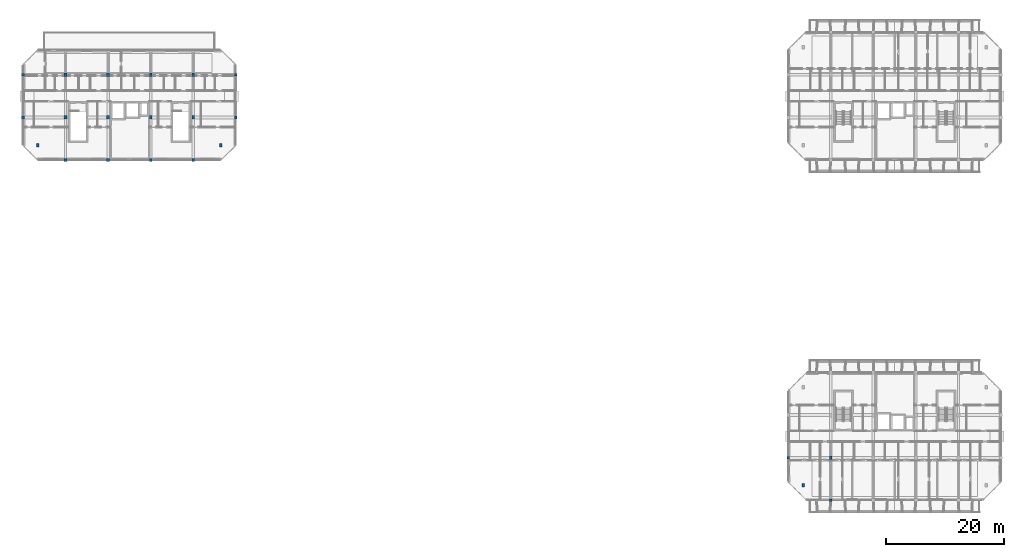
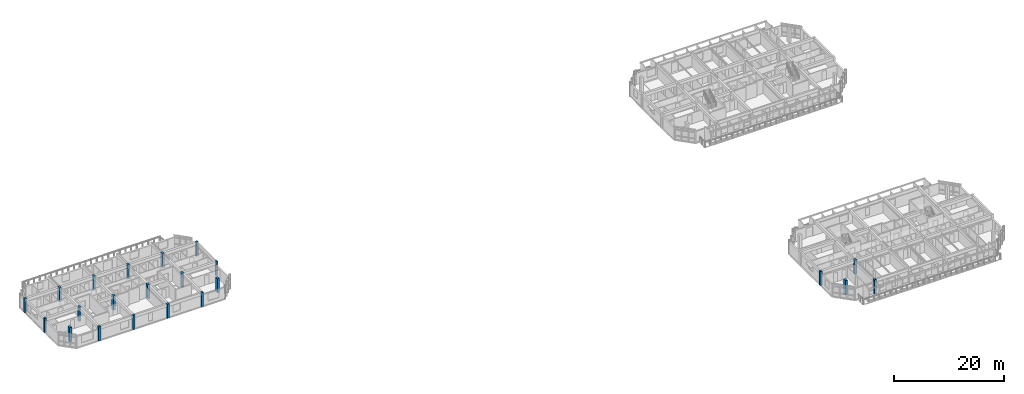
# One storey, part 1 of 30: 22 columns.
"""IFC4 building model written with IfcOpenShell, lengths in metres."""

from ifc_helpers import new_model, si_unit, direction, frame, origin, origin_2d, place, context, subcontext, project, spatial, rectangle, extrude, material, material_profile, profile_set, type_object, element, save


model = new_model("IFC4")

# Units and contexts
model_context = context("Model", 3, precision=1e-05, world=origin(), true_north=direction((0.0, 1.0)))
body_context = subcontext(model_context, "Body", "Model", "MODEL_VIEW")
ifc_project = project(units=[si_unit("LENGTHUNIT", "METRE"), si_unit("AREAUNIT", "SQUARE_METRE"), si_unit("VOLUMEUNIT", "CUBIC_METRE"), si_unit("PLANEANGLEUNIT", "RADIAN"), si_unit("MASSUNIT", "GRAM", prefix="KILO")], contexts=[model_context])

# Site, building, storey
site_placement = place(None, origin())
site = spatial("IfcSite", under=ifc_project, at=site_placement, CompositionType="ELEMENT")
building_placement = place(site_placement, origin())
building = spatial("IfcBuilding", under=site, at=building_placement, Name="Ochrevale Crest", CompositionType="ELEMENT")
storey_placement = place(building_placement, frame((0.0, 0.0, 33.89990234375)))
storey = spatial("IfcBuildingStorey", under=building, at=storey_placement, Name="L10", CompositionType="ELEMENT", Elevation=33.89990234375)

# Columns
ifc_material_1 = material(Name="Precast concrete C40/50", Category="concrete")
ifc_material_profile_1 = material_profile(ifc_material_1, rectangle(XDim=0.449951171875, YDim=0.449951171875, at=origin_2d()), Name="RC 450x450")
ifc_profile_set_1 = profile_set([ifc_material_profile_1], Name="Precast concrete C40/50")
column_type_1 = type_object("IfcColumnType", Name="COL-RC450x450", PredefinedType="COLUMN", material=ifc_profile_set_1)
for number, where, z_axis, x_axis, name in (
    (1, (0.0, 79.199951171875, 0.0), (0.0, 0.0, 1.0), (1.0, 0.0, 0.0), "Block B L10 column (0.0,79.2)"),
    (2, (0.0, 86.39990234375, 0.0), (0.0, 0.0, 1.0), (1.0, 0.0, 0.0), "Block B L10 column (0.0,86.4)"),
    (3, (7.199951171875, 72.0, 0.0), (0.0, 0.0, 1.0), (1.0, 0.0, 0.0), "Block B L10 column (7.2,72.0)"),
    (4, (14.39990234375, 72.0, 0.0), (0.0, 0.0, 1.0), (1.0, 0.0, 0.0), "Block B L10 column (14.4,72.0)"),
    (5, (21.60009765625, 72.0, 0.0), (0.0, 0.0, 1.0), (1.0, 0.0, 0.0), "Block B L10 column (21.6,72.0)"),
    (6, (28.800048828125, 72.0, 0.0), (0.0, 0.0, 1.0), (1.0, 0.0, 0.0), "Block B L10 column (28.8,72.0)"),
    (7, (36.0, 79.199951171875, 0.0), (0.0, 0.0, 1.0), (1.0, 0.0, 0.0), "Block B L10 column (36.0,79.2)"),
    (8, (36.0, 86.39990234375, 0.0), (0.0, 0.0, 1.0), (1.0, 0.0, 0.0), "Block B L10 column (36.0,86.4)"),
    (9, (129.60009765625, 21.60009765625, 0.0), (0.0, 0.0, 1.0), (1.0, 0.0, 0.0), "Block C L10 column (129.6,21.6)"),
    (10, (136.800048828125, 14.39990234375, 0.0), (0.0, 0.0, 1.0), (1.0, 0.0, 0.0), "Block C L10 column (136.8,14.4)"),
):
    element("IfcColumn", number, at=place(storey_placement, frame(where, z_axis=z_axis, x_axis=x_axis)), inside=storey, type_object=column_type_1, Name=name, PredefinedType="COLUMN", context=body_context, shape_type="SweptSolid", body=[
        extrude(rectangle(XDim=0.449951171875, YDim=0.449951171875, at=origin_2d()), origin(), (0.0, 0.0, 1.0), 3.150146484375),
    ])
ifc_material_2 = material(Name="Precast concrete C50/60", Category="concrete")
ifc_material_profile_2 = material_profile(ifc_material_2, rectangle(XDim=0.449951171875, YDim=0.60009765625, at=origin_2d()), Name="RC 450x600")
ifc_profile_set_2 = profile_set([ifc_material_profile_2], Name="Precast concrete C50/60")
column_type_2 = type_object("IfcColumnType", Name="COL-RC450x600", PredefinedType="COLUMN", material=ifc_profile_set_2)
for number, where, z_axis, x_axis, name in (
    (11, (2.5, 74.5, 0.0), (0.0, 0.0, 1.0), (1.0, 0.0, 0.0), "Block B L10 column (2.5,74.5)"),
    (12, (7.199951171875, 79.199951171875, 0.0), (0.0, 0.0, 1.0), (1.0, 0.0, 0.0), "Block B L10 column (7.2,79.2)"),
    (13, (7.199951171875, 86.39990234375, 0.0), (0.0, 0.0, 1.0), (1.0, 0.0, 0.0), "Block B L10 column (7.2,86.4)"),
    (14, (14.39990234375, 79.199951171875, 0.0), (0.0, 0.0, 1.0), (1.0, 0.0, 0.0), "Block B L10 column (14.4,79.2)"),
    (15, (14.39990234375, 86.39990234375, 0.0), (0.0, 0.0, 1.0), (1.0, 0.0, 0.0), "Block B L10 column (14.4,86.4)"),
    (16, (21.60009765625, 79.199951171875, 0.0), (0.0, 0.0, 1.0), (1.0, 0.0, 0.0), "Block B L10 column (21.6,79.2)"),
    (17, (21.60009765625, 86.39990234375, 0.0), (0.0, 0.0, 1.0), (1.0, 0.0, 0.0), "Block B L10 column (21.6,86.4)"),
    (18, (28.800048828125, 79.199951171875, 0.0), (0.0, 0.0, 1.0), (1.0, 0.0, 0.0), "Block B L10 column (28.8,79.2)"),
    (19, (28.800048828125, 86.39990234375, 0.0), (0.0, 0.0, 1.0), (1.0, 0.0, 0.0), "Block B L10 column (28.8,86.4)"),
    (20, (33.5, 74.5, 0.0), (0.0, 0.0, 1.0), (1.0, 0.0, 0.0), "Block B L10 column (33.5,74.5)"),
    (21, (132.10009765625, 16.89990234375, 0.0), (0.0, 0.0, 1.0), (1.0, 0.0, 0.0), "Block C L10 column (132.1,16.9)"),
    (22, (136.800048828125, 21.60009765625, 0.0), (0.0, 0.0, 1.0), (1.0, 0.0, 0.0), "Block C L10 column (136.8,21.6)"),
):
    element("IfcColumn", number, at=place(storey_placement, frame(where, z_axis=z_axis, x_axis=x_axis)), inside=storey, type_object=column_type_2, Name=name, PredefinedType="COLUMN", context=body_context, shape_type="SweptSolid", body=[
        extrude(rectangle(XDim=0.449951171875, YDim=0.60009765625, at=origin_2d()), origin(), (0.0, 0.0, 1.0), 3.150146484375),
    ])

save(model, "model.ifc")
